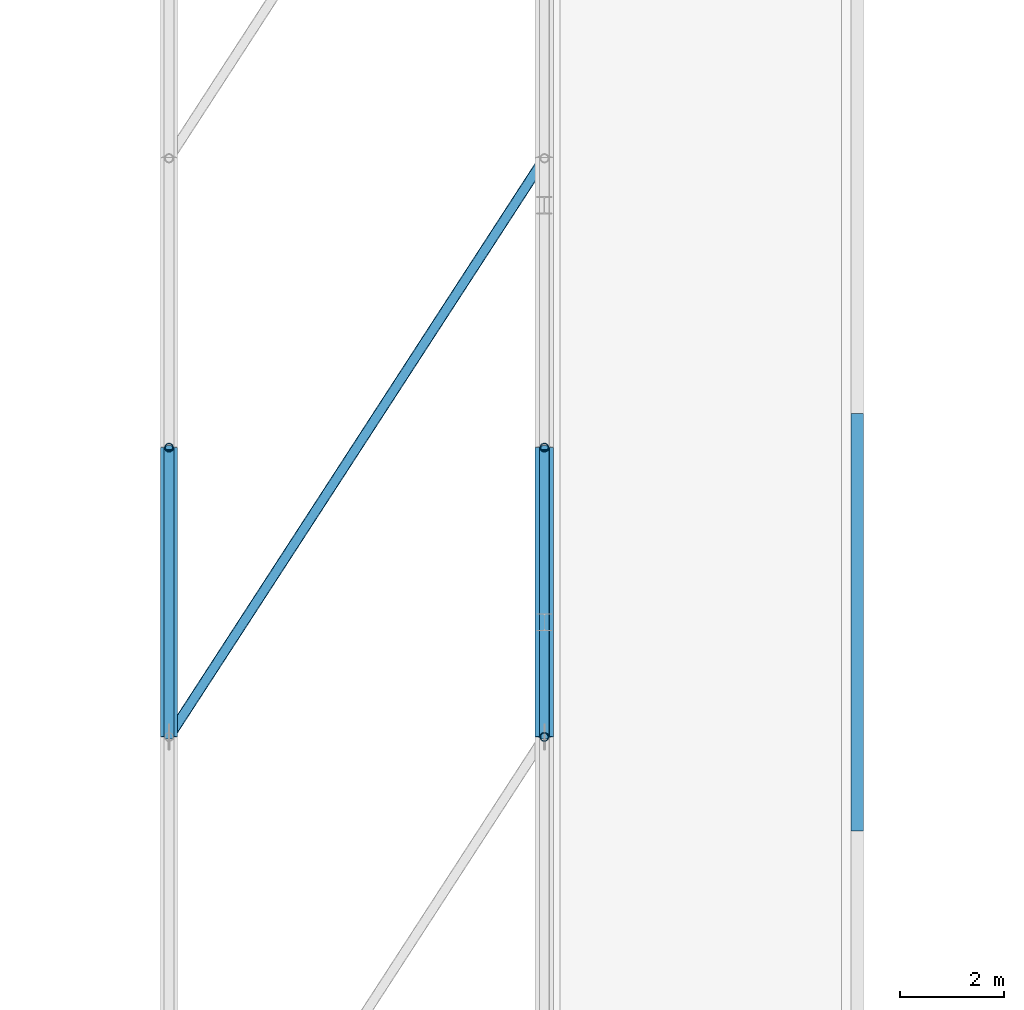
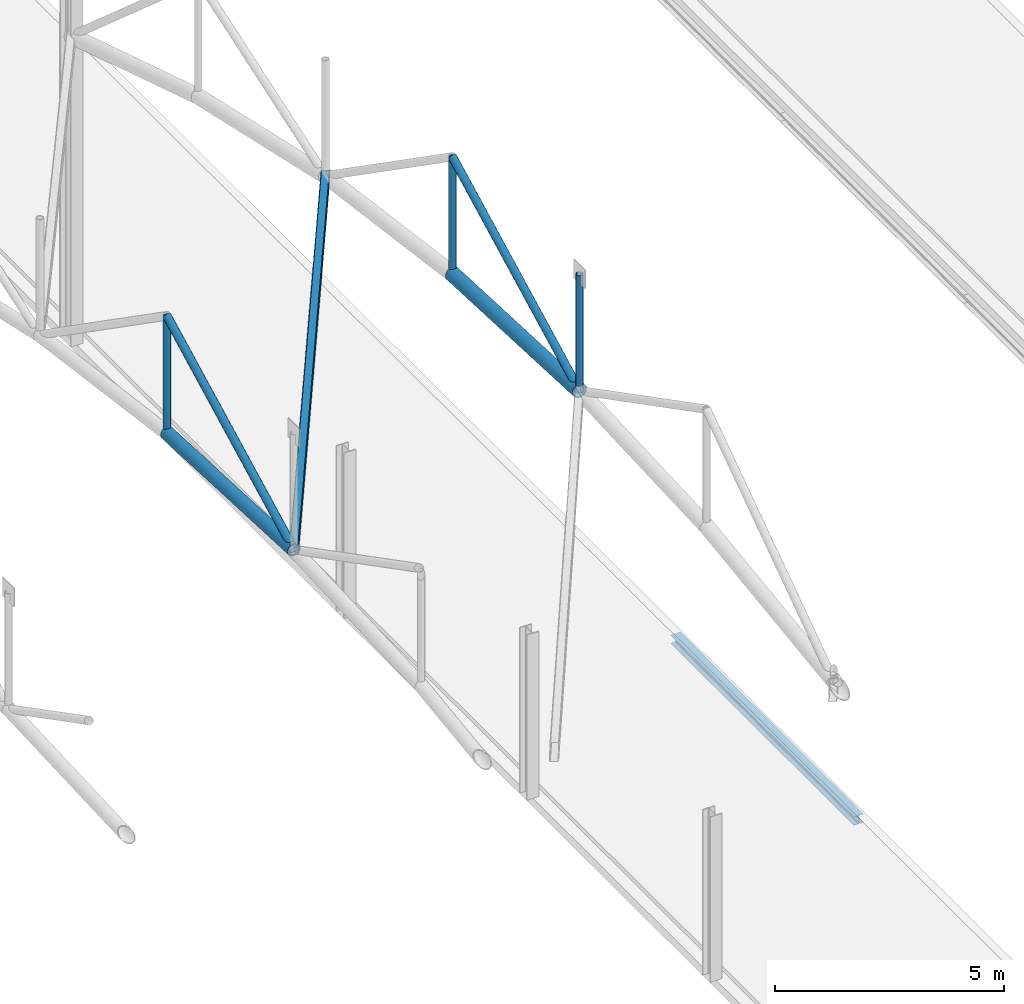
# One storey, part 64 of 153: 8 members, 1 beam.
"""IFC4 building model written with IfcOpenShell, lengths in metres."""

from ifc_helpers import new_model, si_unit, derived_unit, direction, frame, origin, origin_2d, place, context, subcontext, project, spatial, hollow_rectangle, hollow_circle, i_section, extrude, material, material_profile, profile_set, type_object, element, save


model = new_model("IFC4")

# Units and contexts
model_context = context("Model", 3, precision=1e-05, world=origin(), true_north=direction((0.0, 1.0)))
body_context = subcontext(model_context, "Body", "Model", "MODEL_VIEW")
ifc_project = project(units=[si_unit("LENGTHUNIT", "METRE"), si_unit("AREAUNIT", "SQUARE_METRE"), si_unit("VOLUMEUNIT", "CUBIC_METRE"), si_unit("PLANEANGLEUNIT", "RADIAN"), si_unit("MASSUNIT", "GRAM", prefix="KILO"), derived_unit("THERMALTRANSMITTANCEUNIT", [(si_unit("POWERUNIT", "WATT"), 1), (si_unit("LENGTHUNIT", "METRE"), -2), (si_unit("THERMODYNAMICTEMPERATUREUNIT", "KELVIN"), -1)])], contexts=[model_context])

# Site, building, storey
site_placement = place(None, origin())
site = spatial("IfcSite", under=ifc_project, at=site_placement, CompositionType="ELEMENT")
building_placement = place(site_placement, origin())
building = spatial("IfcBuilding", under=site, at=building_placement, Name="Keldorne Ridge Multi-Sports Centre", CompositionType="ELEMENT")
storey_placement = place(building_placement, frame((0.0, 0.0, 9.60009765625)))
storey = spatial("IfcBuildingStorey", under=building, at=storey_placement, Name="L02", CompositionType="ELEMENT", Elevation=9.60009765625)

# Beam
ifc_material = material(Name="Steel S355", Category="steel")
ifc_material_profile_1 = material_profile(ifc_material, i_section(OverallWidth=0.239990234375, OverallDepth=0.22998046875, WebThickness=0.007568359375, FlangeThickness=0.011962890625, FilletRadius=0.02099609375, at=origin_2d()), Name="HEA 240")
ifc_profile_set_1 = profile_set([ifc_material_profile_1], Name="Steel S355")
beam_type = type_object("IfcBeamType", Name="BM-SP-05", PredefinedType="SPANDREL", material=ifc_profile_set_1)
beam_placement = place(storey_placement, frame((84.0, 30.0, -0.34521484375), z_axis=(0.0, 1.0, 0.0), x_axis=(-1.0, 0.0, 0.0)))
element("IfcBeam", 1, at=beam_placement, inside=storey, type_object=beam_type, Name="L02 passage roof beam G12.4", PredefinedType="SPANDREL", context=body_context, shape_type="SweptSolid", body=[
    extrude(i_section(OverallWidth=0.239990234375, OverallDepth=0.22998046875, WebThickness=0.007568359375, FlangeThickness=0.011962890625, FilletRadius=0.02099609375, at=origin_2d()), origin(), (0.0, 0.0, 1.0), 8.0),
])

# Members
ifc_material_profile_2 = material_profile(ifc_material, hollow_circle(Radius=0.177734375, WallThickness=0.01611328125, at=origin_2d()), Name="CHS 355.6x16")
ifc_profile_set_2 = profile_set([ifc_material_profile_2], Name="Steel S355")
member_type_1 = type_object("IfcMemberType", Name="MEM-TC-01", PredefinedType="CHORD", material=ifc_profile_set_2)
member_1_placement = place(storey_placement, frame((78.0, 31.800048828125, 12.099853515625), z_axis=(0.0, 0.99898703105, -0.044999019918), x_axis=(-1.0, 0.0, 0.0)))
element("IfcMember", 2, at=member_1_placement, inside=storey, type_object=member_type_1, Name="Main Hall ROOF TRUSS AT-11 bottom chord 5", PredefinedType="CHORD", context=body_context, shape_type="SweptSolid", body=[
    extrude(hollow_circle(Radius=0.177734375, WallThickness=0.01611328125, at=origin_2d()), origin(), (0.0, 0.0, 1.0), 5.5556640625),
])
ifc_material_profile_3 = material_profile(ifc_material, hollow_circle(Radius=0.161865234375, WallThickness=0.01611328125, at=origin_2d()), Name="CHS 323.9x16")
ifc_profile_set_3 = profile_set([ifc_material_profile_3], Name="Steel S355")
member_type_2 = type_object("IfcMemberType", Name="MEM-TC-02", PredefinedType="CHORD", material=ifc_profile_set_3)
member_2_placement = place(storey_placement, frame((70.800048828125, 31.800048828125, 10.3798828125), z_axis=(0.0, 0.99898703105, -0.044999019918), x_axis=(-1.0, 0.0, 0.0)))
element("IfcMember", 3, at=member_2_placement, inside=storey, type_object=member_type_2, Name="Main Hall ROOF TRUSS AT-10 bottom chord 5", PredefinedType="CHORD", context=body_context, shape_type="SweptSolid", body=[
    extrude(hollow_circle(Radius=0.161865234375, WallThickness=0.01611328125, at=origin_2d()), origin(), (0.0, 0.0, 1.0), 5.5556640625),
])
ifc_material_profile_4 = material_profile(ifc_material, hollow_circle(Radius=0.096923828125, WallThickness=0.010009765625, at=origin_2d()), Name="CHS 193.7x10")
ifc_profile_set_4 = profile_set([ifc_material_profile_4], Name="Steel S355")
member_type_3 = type_object("IfcMemberType", Name="MEM-TD-01", PredefinedType="BRACE", material=ifc_profile_set_4)
for number, where, z_axis, x_axis, name in (
    (4, (70.800048828125, 31.800048828125, 10.3798828125), (0.0, 0.888256676743, 0.459347446082), (-1.0, 0.0, 0.0), "Main Hall ROOF TRUSS AT-10 diagonal 5"),
    (5, (78.0, 31.800048828125, 12.099853515625), (0.0, 0.888256676743, 0.459347446082), (-1.0, 0.0, 0.0), "Main Hall ROOF TRUSS AT-11 diagonal 5"),
):
    element("IfcMember", number, at=place(storey_placement, frame(where, z_axis=z_axis, x_axis=x_axis)), inside=storey, type_object=member_type_3, Name=name, PredefinedType="BRACE", context=body_context, shape_type="SweptSolid", body=[
        extrude(hollow_circle(Radius=0.096923828125, WallThickness=0.010009765625, at=origin_2d()), origin(), (0.0, 0.0, 1.0), 6.248291015625),
    ])
ifc_material_profile_5 = material_profile(ifc_material, hollow_circle(Radius=0.084228515625, WallThickness=0.010009765625, at=origin_2d()), Name="CHS 168.3x10")
ifc_profile_set_5 = profile_set([ifc_material_profile_5], Name="Steel S355")
member_type_4 = type_object("IfcMemberType", Name="MEM-TV-01", PredefinedType="STRUT", material=ifc_profile_set_5)
for number, where, z_axis, x_axis, name in (
    (6, (70.800048828125, 37.35009765625, 10.1298828125), (0.0, 0.0, 1.0), (1.0, 0.0, 0.0), "Main Hall ROOF TRUSS AT-10 vertical 6"),
    (7, (78.0, 31.800048828125, 12.099853515625), (0.0, 0.0, 1.0), (1.0, 0.0, 0.0), "Main Hall ROOF TRUSS AT-11 vertical 5"),
    (8, (78.0, 37.35009765625, 11.849853515625), (0.0, 0.0, 1.0), (1.0, 0.0, 0.0), "Main Hall ROOF TRUSS AT-11 vertical 6"),
):
    element("IfcMember", number, at=place(storey_placement, frame(where, z_axis=z_axis, x_axis=x_axis)), inside=storey, type_object=member_type_4, Name=name, PredefinedType="STRUT", context=body_context, shape_type="SweptSolid", body=[
        extrude(hollow_circle(Radius=0.084228515625, WallThickness=0.010009765625, at=origin_2d()), origin(), (0.0, 0.0, 1.0), 3.1201171875),
    ])
ifc_material_profile_6 = material_profile(ifc_material, hollow_rectangle(XDim=0.199951171875, YDim=0.300048828125, WallThickness=0.012451171875, InnerFilletRadius=0.012451171875, OuterFilletRadius=0.02490234375, at=origin_2d()), Name="RHS 300x200x12.5")
ifc_profile_set_6 = profile_set([ifc_material_profile_6], Name="Steel S355")
member_type_5 = type_object("IfcMemberType", Name="MEM-WB-01", PredefinedType="BRACE", material=ifc_profile_set_6)
member_3_placement = place(storey_placement, frame((70.800048828125, 31.800048828125, 10.3798828125), z_axis=(0.543389596634, 0.837720254008, 0.054337117103), x_axis=(-0.838959693152, 0.544193562317, 0.0)))
element("IfcMember", 9, at=member_3_placement, inside=storey, type_object=member_type_5, Name="Main Hall wind girder brace 10.5", PredefinedType="BRACE", context=body_context, shape_type="SweptSolid", body=[
    extrude(hollow_rectangle(XDim=0.199951171875, YDim=0.300048828125, WallThickness=0.012451171875, InnerFilletRadius=0.012451171875, OuterFilletRadius=0.02490234375, at=origin_2d()), origin(), (0.0, 0.0, 1.0), 13.25),
])

save(model, "model.ifc")
